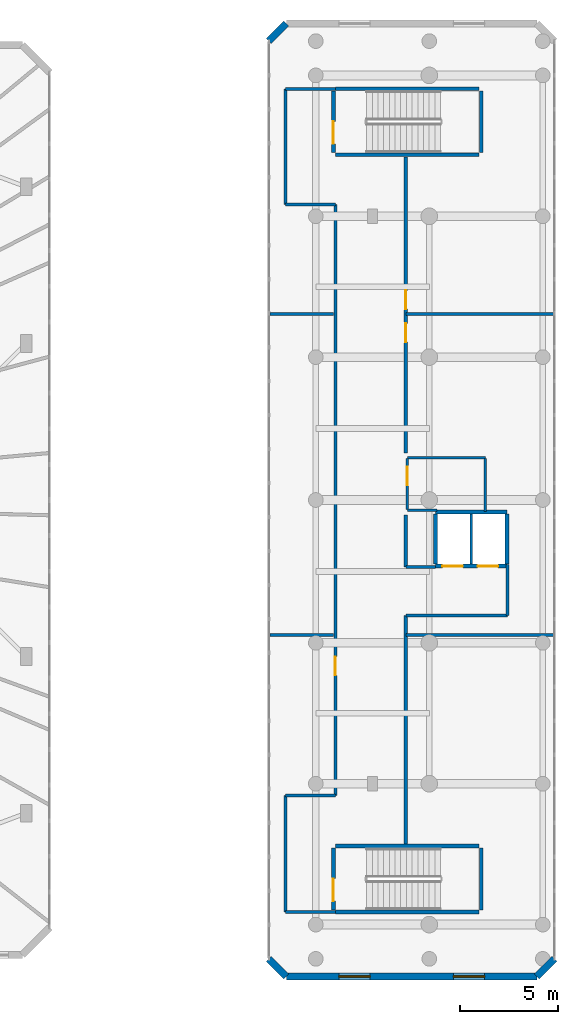
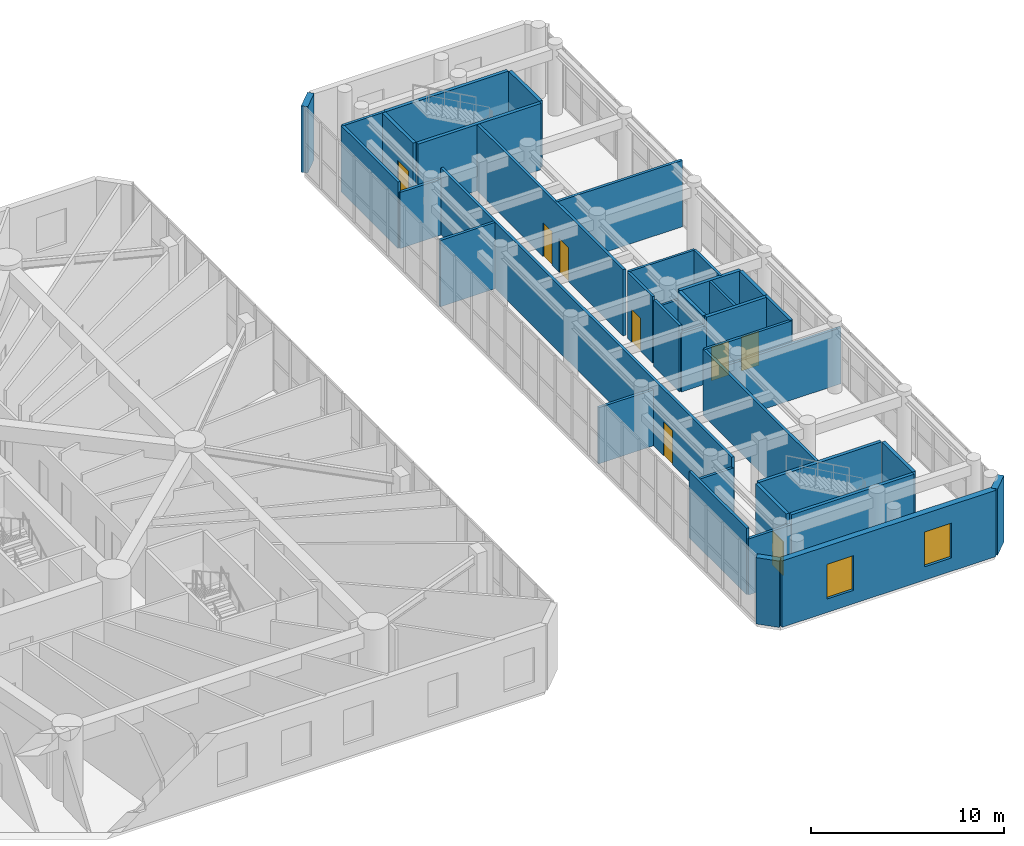
# One storey, part 19 of 26: 38 walls, 8 doors, 2 windows, 10 openings.
"""IFC4 building model written with IfcOpenShell, lengths in metres."""

import ifcopenshell
import ifcopenshell.guid

model = None  # the IFC model being written
_history = None  # IfcOwnerHistory: only IFC2X3 demands one
_inside = {}  # id of a spatial element -> (the spatial element, [elements in it])
_under = {}  # id of a project, library or spatial element -> (it, [spatial elements below it])
_declared = {}  # id of a project -> (the project, [libraries it declares])
_typed = {}  # id of a type object -> (the type object, [elements of that type])
_made_of = {}  # id of a material, layer set ... -> (it, [elements and type objects made of it])


def new_model(schema):
    """Start an empty IFC model of exactly this schema.

    Asked for "IFC4X3", IfcOpenShell would pick the latest addendum, in which some entities
    have other attributes; the version numbers below select the first issue.
    IFC2X3 requires an IfcOwnerHistory on every rooted entity: one is made here for all.
    """
    global model, _history
    if schema == "IFC4X3":
        model = ifcopenshell.file(schema_version=(4, 3, 0, 0))
    else:
        model = ifcopenshell.file(schema=schema)
    _inside.clear()
    _under.clear()
    _declared.clear()
    _typed.clear()
    _made_of.clear()
    _history = None
    if model.schema == "IFC2X3":
        org = make("IfcOrganization", Name="unknown")
        user = make(
            "IfcPersonAndOrganization",
            ThePerson=make("IfcPerson", FamilyName="unknown"),
            TheOrganization=org,
        )
        app = make(
            "IfcApplication",
            ApplicationDeveloper=org,
            Version="unknown",
            ApplicationFullName="unknown",
            ApplicationIdentifier="unknown",
        )
        _history = make(
            "IfcOwnerHistory",
            OwningUser=user,
            OwningApplication=app,
            ChangeAction="ADDED",
            CreationDate=0,
        )
    return model


def make(cls, **values):
    """One entity of the class cls with the attributes given. An attribute that is None is left unset."""
    return model.create_entity(
        cls, **{name: value for name, value in values.items() if value is not None}
    )


def rooted(cls, **values):
    """An entity with a GlobalId (a new one), such as an element, a storey or a relation."""
    return make(cls, GlobalId=ifcopenshell.guid.new(), OwnerHistory=_history, **values)


def si_unit(unit_type, name, prefix=None):
    """IfcSIUnit, for example si_unit("LENGTHUNIT", "METRE", prefix="MILLI")."""
    return make("IfcSIUnit", UnitType=unit_type, Prefix=prefix, Name=name)


def assignment(units):
    """IfcUnitAssignment: the units of a project."""
    return None if units is None else make("IfcUnitAssignment", Units=units)


def point(xyz):
    """IfcCartesianPoint."""
    return None if xyz is None else make("IfcCartesianPoint", Coordinates=xyz)


def direction(xyz):
    """IfcDirection."""
    return None if xyz is None else make("IfcDirection", DirectionRatios=xyz)


def frame(location, z_axis=None, x_axis=None):
    """IfcAxis2Placement3D, a coordinate frame: its origin and axes. An axis left out is left unset."""
    return make(
        "IfcAxis2Placement3D",
        Location=point(location),
        Axis=direction(z_axis),
        RefDirection=direction(x_axis),
    )


def frame_2d(location, x_axis=None):
    """IfcAxis2Placement2D, a coordinate frame in the plane: its origin and x axis."""
    return make(
        "IfcAxis2Placement2D", Location=point(location), RefDirection=direction(x_axis)
    )


def origin():
    """The frame at (0, 0, 0) with its axes left unset."""
    return frame((0.0, 0.0, 0.0))


def origin_with_axes():
    """The frame at (0, 0, 0) with the z axis (0, 0, 1) and the x axis (1, 0, 0) written out."""
    return frame((0.0, 0.0, 0.0), z_axis=(0.0, 0.0, 1.0), x_axis=(1.0, 0.0, 0.0))


def place(relative_to, where):
    """IfcLocalPlacement: puts the frame where relative to a parent placement (None: the world)."""
    return make(
        "IfcLocalPlacement", PlacementRelTo=relative_to, RelativePlacement=where
    )


def context(
    kind, dimensions, precision=None, world=None, true_north=None, identifier=None
):
    """IfcGeometricRepresentationContext, for example the 3D "Model" context."""
    return make(
        "IfcGeometricRepresentationContext",
        ContextIdentifier=identifier,
        ContextType=kind,
        CoordinateSpaceDimension=dimensions,
        Precision=precision,
        WorldCoordinateSystem=world,
        TrueNorth=true_north,
    )


def subcontext(parent, identifier, kind, view, scale=None):
    """IfcGeometricRepresentationSubContext, for example "Body" below "Model"."""
    return make(
        "IfcGeometricRepresentationSubContext",
        ContextIdentifier=identifier,
        ContextType=kind,
        ParentContext=parent,
        TargetScale=scale,
        TargetView=view,
    )


def project(units=None, contexts=None):
    """IfcProject with its units and contexts."""
    return rooted(
        "IfcProject",
        Name="project",
        RepresentationContexts=contexts,
        UnitsInContext=assignment(units),
    )


def spatial(cls, under=None, at=None, **own):
    """A site, building, storey or space (cls), placed at a placement, below another one or the project."""
    s = rooted(cls, ObjectPlacement=at, **own)
    if under is not None:
        _under.setdefault(under.id(), (under, []))[1].append(s)
    return s


def profile(cls, at=None, kind="AREA", **sizes):
    """A parametric profile (cls). Its sizes go by their IFC names, for example OverallWidth=200.0."""
    return make(cls, ProfileType=kind, Position=at, **sizes)


def rectangle(**sizes):
    """IfcRectangleProfileDef."""
    return profile("IfcRectangleProfileDef", **sizes)


def extrude(swept, where, along, depth):
    """IfcExtrudedAreaSolid: the profile swept, set in the frame where, extruded along a direction by depth."""
    return make(
        "IfcExtrudedAreaSolid",
        SweptArea=swept,
        Position=where,
        ExtrudedDirection=direction(along),
        Depth=depth,
    )


def shape(context_of_items, identifier, shape_type, items):
    """IfcShapeRepresentation: the items that make up one representation, for example the "Body"."""
    return make(
        "IfcShapeRepresentation",
        ContextOfItems=context_of_items,
        RepresentationIdentifier=identifier,
        RepresentationType=shape_type,
        Items=items,
    )


def source(mapping_origin, context_of_items, identifier, shape_type, items):
    """IfcRepresentationMap: a shape defined once, which mapped items show again and again."""
    return make(
        "IfcRepresentationMap",
        MappingOrigin=mapping_origin,
        MappedRepresentation=shape(context_of_items, identifier, shape_type, items),
    )


def transform(
    local_origin,
    x_axis=None,
    y_axis=None,
    z_axis=None,
    scale=None,
    scale2=None,
    scale3=None,
    uniform=True,
):
    """IfcCartesianTransformationOperator3D, or its non-uniform kind. x_axis, y_axis, z_axis: its Axis1, 2, 3."""
    if uniform:
        return make(
            "IfcCartesianTransformationOperator3D",
            Axis1=direction(x_axis),
            Axis2=direction(y_axis),
            LocalOrigin=point(local_origin),
            Scale=scale,
            Axis3=direction(z_axis),
        )
    return make(
        "IfcCartesianTransformationOperator3DnonUniform",
        Axis1=direction(x_axis),
        Axis2=direction(y_axis),
        LocalOrigin=point(local_origin),
        Scale=scale,
        Axis3=direction(z_axis),
        Scale2=scale2,
        Scale3=scale3,
    )


def mapped(mapping_source, mapping_target):
    """IfcMappedItem: shows the shape of a source again, moved by a transform."""
    return make(
        "IfcMappedItem", MappingSource=mapping_source, MappingTarget=mapping_target
    )


def material(Name=None, Category=None):
    """IfcMaterial."""
    return make("IfcMaterial", Name=Name, Category=Category)


def layer(
    of_material, thickness, ventilated=None, Name=None, Category=None, Priority=None
):
    """IfcMaterialLayer: one layer of a wall or slab, of a material (None: an air gap)."""
    return make(
        "IfcMaterialLayer",
        Material=of_material,
        LayerThickness=thickness,
        IsVentilated=ventilated,
        Name=Name,
        Category=Category,
        Priority=Priority,
    )


def layer_set(layers, Name=None):
    """IfcMaterialLayerSet."""
    return make("IfcMaterialLayerSet", MaterialLayers=layers, LayerSetName=Name)


def made_of(thing, what):
    """Note that an element or type object is made of a material, layer set ...; save() writes the relation."""
    if what is not None:
        _made_of.setdefault(what.id(), (what, []))[1].append(thing)
    return thing


def type_object(cls, material=None, **own):
    """A type object (cls), such as IfcWallType, which elements share."""
    return made_of(rooted(cls, **own), material)


def element(
    cls,
    number,
    at=None,
    inside=None,
    cuts=None,
    type_object=None,
    material=None,
    context=None,
    identifier="Body",
    shape_type=None,
    held_by="IfcProductDefinitionShape",
    body=None,
    shapes=None,
    **own,
):
    """One element of the class cls, such as IfcWall. Its Tag is "e" and its number.

    at: its placement. inside: the storey or other place that contains it. cuts: it is an
    opening in that element (IfcRelVoidsElement). A single representation is given by context,
    identifier, shape_type and body (its items); several are given by shapes. held_by: the class
    of the entity that holds the representations. save() writes the other relations.
    """
    e = rooted(cls, Tag="e%d" % number, ObjectPlacement=at, **own)
    if body is not None:
        shapes = [shape(context, identifier, shape_type, body)]
    if shapes is not None:
        e.Representation = make(held_by, Representations=shapes)
    if inside is not None:
        _inside.setdefault(inside.id(), (inside, []))[1].append(e)
    if cuts is not None:
        rooted(
            "IfcRelVoidsElement", RelatingBuildingElement=cuts, RelatedOpeningElement=e
        )
    if type_object is not None:
        _typed.setdefault(type_object.id(), (type_object, []))[1].append(e)
    return made_of(e, material)


def fill(opening, filler):
    """IfcRelFillsElement: the door or window that sits in an opening."""
    return rooted(
        "IfcRelFillsElement",
        RelatingOpeningElement=opening,
        RelatedBuildingElement=filler,
    )


def aggregate(whole, parts):
    """IfcRelAggregates: a whole, such as a stair, and the parts it consists of."""
    return rooted("IfcRelAggregates", RelatingObject=whole, RelatedObjects=parts)


def save(model, path):
    """Write the relations noted so far, then the file.

    IfcRelAggregates (storeys below a building ...), IfcRelContainedInSpatialStructure (elements
    in a storey), IfcRelDefinesByType, IfcRelAssociatesMaterial and IfcRelDeclares: one each for
    every whole, place, type object, material and project.
    """
    for whole, parts in _under.values():
        aggregate(whole, parts)
    for where, things in _inside.values():
        rooted(
            "IfcRelContainedInSpatialStructure",
            RelatedElements=things,
            RelatingStructure=where,
        )
    for kind, things in _typed.values():
        rooted("IfcRelDefinesByType", RelatedObjects=things, RelatingType=kind)
    for what, things in _made_of.values():
        rooted("IfcRelAssociatesMaterial", RelatedObjects=things, RelatingMaterial=what)
    for by, libraries in _declared.values():
        rooted("IfcRelDeclares", RelatingContext=by, RelatedDefinitions=libraries)
    model.write(path)


model = new_model("IFC4")

# Units and contexts
model_context = context("Model", 3, precision=1e-05, world=origin(), true_north=direction((0.0, 1.0)))
body_context = subcontext(model_context, "Body", "Model", "MODEL_VIEW")
ifc_project = project(units=[si_unit("LENGTHUNIT", "METRE"), si_unit("AREAUNIT", "SQUARE_METRE"), si_unit("VOLUMEUNIT", "CUBIC_METRE"), si_unit("PLANEANGLEUNIT", "RADIAN"), si_unit("MASSUNIT", "GRAM", prefix="KILO")], contexts=[model_context])

# Site, building, storey
site_placement = place(None, origin())
site = spatial("IfcSite", under=ifc_project, at=site_placement, CompositionType="ELEMENT")
building_placement = place(site_placement, origin())
building = spatial("IfcBuilding", under=site, at=building_placement, Name="Karkom Vertical University and Central Library", CompositionType="ELEMENT")
storey_placement = place(building_placement, frame((0.0, 0.0, 9.0)))
storey = spatial("IfcBuildingStorey", under=building, at=storey_placement, Name="L02", CompositionType="ELEMENT", Elevation=9.0)

# Wall, openings, windows
ifc_material_1 = material(Name="Brick masonry 360mm insulated cavity", Category="masonry")
ifc_layer_1 = layer(ifc_material_1, 0.360107421875)
ifc_layer_set_1 = layer_set([ifc_layer_1], Name="Brick masonry 360mm insulated cavity")
wall_type_1 = type_object("IfcWallType", Name="ENV-WL-BRK-360", PredefinedType="SOLIDWALL", material=ifc_layer_set_1)
wall_1_placement = place(storey_placement, frame((68.10009765625, 2.14990234375, 0.0), z_axis=(0.0, 0.0, 1.0), x_axis=(1.0, 0.0, 0.0)))
wall_1 = element("IfcWall", 1, at=wall_1_placement, inside=storey, type_object=wall_type_1, Name="Level 02 LIB Terracotta Brick Facade Wall 01", PredefinedType="SOLIDWALL", context=body_context, shape_type="SweptSolid", body=[
    extrude(rectangle(XDim=12.7998046875, YDim=0.360107421875, at=frame_2d((6.39990234375, 0.0))), origin(), (0.0, 0.0, 1.0), 4.199951171875),
])
opening_1_placement = place(wall_1_placement, frame((2.675048828125, 0.0, 0.85009765625)))
opening_1 = element("IfcOpeningElement", 2, at=opening_1_placement, cuts=wall_1, Name="Opening WN-02", PredefinedType="OPENING", context=body_context, shape_type="SweptSolid", body=[
    extrude(rectangle(XDim=1.60009765625, YDim=2.199951171875, at=frame_2d((0.800048828125, 1.10009765625))), frame((0.0, 0.18994140625, 0.0), z_axis=(0.0, -1.0, 0.0), x_axis=(1.0, 0.0, 0.0)), (0.0, 0.0, 1.0), 0.380126953125),
])
opening_2_placement = place(wall_1_placement, frame((8.52490234375, 0.0, 0.85009765625)))
opening_2 = element("IfcOpeningElement", 3, at=opening_2_placement, cuts=wall_1, Name="Opening WN-02", PredefinedType="OPENING", context=body_context, shape_type="SweptSolid", body=[
    extrude(rectangle(XDim=1.60009765625, YDim=2.199951171875, at=frame_2d((0.800048828125, 1.10009765625))), frame((0.0, 0.18994140625, 0.0), z_axis=(0.0, -1.0, 0.0), x_axis=(1.0, 0.0, 0.0)), (0.0, 0.0, 1.0), 0.380126953125),
])
ifc_material_2 = material(Name="Aluminium thermal-break frame with solar-control IGU", Category="aluminium")
window_type = type_object("IfcWindowType", Name="ENV-WIN-WN-02", PartitioningType="SINGLE_PANEL", PredefinedType="WINDOW", material=ifc_material_2)
shared_shape_1 = source(origin_with_axes(), body_context, "Body", "SweptSolid", [
    extrude(rectangle(XDim=1.60009765625, YDim=2.199951171875, at=frame_2d((0.800048828125, 1.10009765625))), frame((0.0, 0.030029296875, 0.0), z_axis=(0.0, -1.0, 0.0), x_axis=(1.0, 0.0, 0.0)), (0.0, 0.0, 1.0), 0.06005859375),
])
window_1_placement = place(opening_1_placement, origin())
window_1 = element("IfcWindow", 4, at=window_1_placement, inside=storey, type_object=window_type, Name="Level 02 LIB Punched Window 01", OverallHeight=2.199951171875, OverallWidth=1.60009765625, PartitioningType="SINGLE_PANEL", PredefinedType="WINDOW", context=body_context, shape_type="MappedRepresentation", body=[
    mapped(shared_shape_1, transform((0.0, 0.0, 0.0), scale=1.0)),
])
fill(opening_1, window_1)
window_2_placement = place(opening_2_placement, origin())
window_2 = element("IfcWindow", 5, at=window_2_placement, inside=storey, type_object=window_type, Name="Level 02 LIB Punched Window 02", OverallHeight=2.199951171875, OverallWidth=1.60009765625, PartitioningType="SINGLE_PANEL", PredefinedType="WINDOW", context=body_context, shape_type="MappedRepresentation", body=[
    mapped(shared_shape_1, transform((0.0, 0.0, 0.0), scale=1.0)),
])
fill(opening_2, window_2)

# Walls
for number, where, z_axis, x_axis, name in (
    (6, (80.89990234375, 2.14990234375, 0.0), (0.0, 0.0, 1.0), (0.707106781187, 0.707106781187, 0.0), "Level 02 LIB Terracotta Brick Facade Wall 02"),
    (7, (68.10009765625, 50.85009765625, 0.0), (0.0, 0.0, 1.0), (-0.707106781187, -0.707106781187, 0.0), "Level 02 LIB Terracotta Brick Facade Wall 06"),
    (8, (67.199951171875, 3.050048828125, 0.0), (0.0, 0.0, 1.0), (0.707106781187, -0.707106781187, 0.0), "Level 02 LIB Terracotta Brick Facade Wall 08"),
):
    element("IfcWall", number, at=place(storey_placement, frame(where, z_axis=z_axis, x_axis=x_axis)), inside=storey, type_object=wall_type_1, Name=name, PredefinedType="SOLIDWALL", context=body_context, shape_type="SweptSolid", body=[
        extrude(rectangle(XDim=1.27294921875, YDim=0.360107421875, at=frame_2d((0.636474609375, 0.0))), origin(), (0.0, 0.0, 1.0), 4.199951171875),
    ])

# Wall, opening, door
ifc_material_3 = material(Name="Insulated metal-stud drywall 160mm", Category="gypsum")
ifc_layer_2 = layer(ifc_material_3, 0.159912109375)
ifc_layer_set_2 = layer_set([ifc_layer_2], Name="Insulated metal-stud drywall 160mm")
wall_type_2 = type_object("IfcWallType", Name="INT-WL-COR-160", PredefinedType="PARTITIONING", material=ifc_layer_set_2)
wall_2_placement = place(storey_placement, frame((70.60009765625, 11.39990234375, 0.0), z_axis=(0.0, 0.0, 1.0), x_axis=(0.0, 1.0, 0.0)))
wall_2 = element("IfcWall", 9, at=wall_2_placement, inside=storey, type_object=wall_type_2, Name="Level 02 Interior Partition Wall Level 02-LBCW-CW-001", PredefinedType="PARTITIONING", context=body_context, shape_type="SweptSolid", body=[
    extrude(rectangle(XDim=30.2001953125, YDim=0.159912109375, at=frame_2d((15.10009765625, 0.0))), origin(), (0.0, 0.0, 1.0), 4.199951171875),
])
opening_3_placement = place(wall_2_placement, frame((6.135009765625, 0.0, 0.0)))
opening_3 = element("IfcOpeningElement", 10, at=opening_3_placement, cuts=wall_2, Name="Opening FD-RM2", PredefinedType="OPENING", context=body_context, shape_type="SweptSolid", body=[
    extrude(rectangle(XDim=0.9599609375, YDim=2.14990234375, at=frame_2d((0.47998046875, 1.074951171875))), frame((0.0, 0.08984375, 0.0), z_axis=(0.0, -1.0, 0.0), x_axis=(1.0, 0.0, 0.0)), (0.0, 0.0, 1.0), 0.179931640625),
])
ifc_material_4 = material(Name="Fire-rated oak veneer door", Category="wood")
door_type_1 = type_object("IfcDoorType", Name="INT-DR-FRM2", OperationType="NOTDEFINED", PredefinedType="DOOR", material=ifc_material_4)
shared_shape_2 = source(origin_with_axes(), body_context, "Body", "SweptSolid", [
    extrude(rectangle(XDim=0.9599609375, YDim=2.14990234375, at=frame_2d((0.47998046875, 1.074951171875))), frame((0.0, 0.02490234375, 0.0), z_axis=(0.0, -1.0, 0.0), x_axis=(1.0, 0.0, 0.0)), (0.0, 0.0, 1.0), 0.050048828125),
])
door_1_placement = place(opening_3_placement, origin())
door_1 = element("IfcDoor", 11, at=door_1_placement, inside=storey, type_object=door_type_1, Name="Level 02 Room Entry Door 901", OperationType="SINGLE_SWING_RIGHT", OverallHeight=2.14990234375, OverallWidth=0.9599609375, PredefinedType="DOOR", context=body_context, shape_type="MappedRepresentation", body=[
    mapped(shared_shape_2, transform((0.0, 0.0, 0.0), scale=1.0)),
])
fill(opening_3, door_1)

# Wall, openings, doors
wall_3_placement = place(storey_placement, frame((74.199951171875, 44.0380859375, 0.0), z_axis=(0.0, 0.0, 1.0), x_axis=(0.0, -1.0, 0.0)))
wall_3 = element("IfcWall", 12, at=wall_3_placement, inside=storey, type_object=wall_type_2, Name="Level 02 Interior Partition Wall Level 02-LBCW-CW-005", PredefinedType="PARTITIONING", context=body_context, shape_type="SweptSolid", body=[
    extrude(rectangle(XDim=15.13818359375, YDim=0.159912109375, at=frame_2d((7.569091796875, 0.0))), origin(), (0.0, 0.0, 1.0), 4.199951171875),
])
opening_4_placement = place(wall_3_placement, frame((8.515380859375, 0.0, 0.0)))
opening_4 = element("IfcOpeningElement", 13, at=opening_4_placement, cuts=wall_3, Name="Opening FD-RM2", PredefinedType="OPENING", context=body_context, shape_type="SweptSolid", body=[
    extrude(rectangle(XDim=0.9599609375, YDim=2.14990234375, at=frame_2d((0.47998046875, 1.074951171875))), frame((0.0, 0.08984375, 0.0), z_axis=(0.0, -1.0, 0.0), x_axis=(1.0, 0.0, 0.0)), (0.0, 0.0, 1.0), 0.179931640625),
])
opening_5_placement = place(wall_3_placement, frame((6.820068359375, 0.0, 0.0)))
opening_5 = element("IfcOpeningElement", 14, at=opening_5_placement, cuts=wall_3, Name="Opening FD-RM2", PredefinedType="OPENING", context=body_context, shape_type="SweptSolid", body=[
    extrude(rectangle(XDim=0.9599609375, YDim=2.14990234375, at=frame_2d((0.47998046875, 1.074951171875))), frame((0.0, 0.08984375, 0.0), z_axis=(0.0, -1.0, 0.0), x_axis=(1.0, 0.0, 0.0)), (0.0, 0.0, 1.0), 0.179931640625),
])
door_2_placement = place(opening_4_placement, origin())
door_2 = element("IfcDoor", 15, at=door_2_placement, inside=storey, type_object=door_type_1, Name="Level 02 Room Entry Door 902", OperationType="SINGLE_SWING_LEFT", OverallHeight=2.14990234375, OverallWidth=0.9599609375, PredefinedType="DOOR", context=body_context, shape_type="MappedRepresentation", body=[
    mapped(shared_shape_2, transform((0.0, 0.0, 0.0), scale=1.0)),
])
fill(opening_4, door_2)
door_3_placement = place(opening_5_placement, origin())
door_3 = element("IfcDoor", 16, at=door_3_placement, inside=storey, type_object=door_type_1, Name="Level 02 Room Entry Door 903", OperationType="SINGLE_SWING_RIGHT", OverallHeight=2.14990234375, OverallWidth=0.9599609375, PredefinedType="DOOR", context=body_context, shape_type="MappedRepresentation", body=[
    mapped(shared_shape_2, transform((0.0, 0.0, 0.0), scale=1.0)),
])
fill(opening_5, door_3)

# Walls
wall_4_placement = place(storey_placement, frame((74.199951171875, 20.60009765625, 0.0), z_axis=(0.0, 0.0, 1.0), x_axis=(0.0, -1.0, 0.0)))
element("IfcWall", 17, at=wall_4_placement, inside=storey, type_object=wall_type_2, Name="Level 02 Interior Partition Wall Level 02-LBCW-CW-010", PredefinedType="PARTITIONING", context=body_context, shape_type="SweptSolid", body=[
    extrude(rectangle(XDim=11.677978515625, YDim=0.159912109375, at=frame_2d((5.8388671875, 0.0))), origin(), (0.0, 0.0, 1.0), 4.199951171875),
])
wall_5_placement = place(storey_placement, frame((74.199951171875, 19.60009765625, 0.0), z_axis=(0.0, 0.0, 1.0), x_axis=(1.0, 0.0, 0.0)))
element("IfcWall", 18, at=wall_5_placement, inside=storey, type_object=wall_type_2, Name="Level 02 Interior Partition Wall Level 02-LW-DIV1E", PredefinedType="PARTITIONING", context=body_context, shape_type="SweptSolid", body=[
    extrude(rectangle(XDim=7.545166015625, YDim=0.159912109375, at=frame_2d((3.7724609375, 0.0))), origin(), (0.0, 0.0, 1.0), 3.550048828125),
])
wall_6_placement = place(storey_placement, frame((74.199951171875, 36.0, 0.0), z_axis=(0.0, 0.0, 1.0), x_axis=(1.0, 0.0, 0.0)))
element("IfcWall", 19, at=wall_6_placement, inside=storey, type_object=wall_type_2, Name="Level 02 Interior Partition Wall Level 02-LW-DIV2E", PredefinedType="PARTITIONING", context=body_context, shape_type="SweptSolid", body=[
    extrude(rectangle(XDim=7.545166015625, YDim=0.159912109375, at=frame_2d((3.7724609375, 0.0))), origin(), (0.0, 0.0, 1.0), 4.199951171875),
])
wall_7_placement = place(storey_placement, frame((68.050048828125, 5.449951171875, 0.0), z_axis=(0.0, 0.0, 1.0), x_axis=(0.0, 1.0, 0.0)))
element("IfcWall", 20, at=wall_7_placement, inside=storey, type_object=wall_type_2, Name="Level 02 Interior Partition Wall Level 02-LBCW-CW-012", PredefinedType="PARTITIONING", context=body_context, shape_type="SweptSolid", body=[
    extrude(rectangle(XDim=5.949951171875, YDim=0.159912109375, at=frame_2d((2.97509765625, 0.0))), origin(), (0.0, 0.0, 1.0), 4.199951171875),
])
wall_8_placement = place(storey_placement, frame((68.050048828125, 41.60009765625, 0.0), z_axis=(0.0, 0.0, 1.0), x_axis=(0.0, 1.0, 0.0)))
element("IfcWall", 21, at=wall_8_placement, inside=storey, type_object=wall_type_2, Name="Level 02 Interior Partition Wall Level 02-LBCW-CW-003", PredefinedType="PARTITIONING", context=body_context, shape_type="SweptSolid", body=[
    extrude(rectangle(XDim=5.89990234375, YDim=0.159912109375, at=frame_2d((2.949951171875, 0.0))), origin(), (0.0, 0.0, 1.0), 4.199951171875),
])
wall_9_placement = place(storey_placement, frame((79.39990234375, 20.60009765625, 0.0), z_axis=(0.0, 0.0, 1.0), x_axis=(-1.0, 0.0, 0.0)))
element("IfcWall", 22, at=wall_9_placement, inside=storey, type_object=wall_type_2, Name="Level 02 Interior Partition Wall Level 02-LBCW-CW-009", PredefinedType="PARTITIONING", context=body_context, shape_type="SweptSolid", body=[
    extrude(rectangle(XDim=5.199951171875, YDim=0.159912109375, at=frame_2d((2.60009765625, 0.0))), origin(), (0.0, 0.0, 1.0), 4.199951171875),
])
wall_10_placement = place(storey_placement, frame((67.2548828125, 19.60009765625, 0.0), z_axis=(0.0, 0.0, 1.0), x_axis=(1.0, 0.0, 0.0)))
element("IfcWall", 23, at=wall_10_placement, inside=storey, type_object=wall_type_2, Name="Level 02 Interior Partition Wall Level 02-LW-DIV1", PredefinedType="PARTITIONING", context=body_context, shape_type="SweptSolid", body=[
    extrude(rectangle(XDim=3.260498046875, YDim=0.159912109375, at=frame_2d((1.63037109375, 0.0))), origin(), (0.0, 0.0, 1.0), 3.550048828125),
])
wall_11_placement = place(storey_placement, frame((67.2548828125, 36.0, 0.0), z_axis=(0.0, 0.0, 1.0), x_axis=(1.0, 0.0, 0.0)))
element("IfcWall", 24, at=wall_11_placement, inside=storey, type_object=wall_type_2, Name="Level 02 Interior Partition Wall Level 02-LW-DIV2", PredefinedType="PARTITIONING", context=body_context, shape_type="SweptSolid", body=[
    extrude(rectangle(XDim=3.260498046875, YDim=0.159912109375, at=frame_2d((1.63037109375, 0.0))), origin(), (0.0, 0.0, 1.0), 4.199951171875),
])
wall_12_placement = place(storey_placement, frame((74.199951171875, 25.739990234375, 0.0), z_axis=(0.0, 0.0, 1.0), x_axis=(0.0, -1.0, 0.0)))
element("IfcWall", 25, at=wall_12_placement, inside=storey, type_object=wall_type_2, Name="Level 02 Interior Partition Wall Level 02-LBCW-CW-006", PredefinedType="PARTITIONING", context=body_context, shape_type="SweptSolid", body=[
    extrude(rectangle(XDim=2.659912109375, YDim=0.159912109375, at=frame_2d((1.330078125, 0.0))), origin(), (0.0, 0.0, 1.0), 4.199951171875),
])
for number, where, z_axis, x_axis, name in (
    (26, (70.60009765625, 41.60009765625, 0.0), (0.0, 0.0, 1.0), (-1.0, 0.0, 0.0), "Level 02 Interior Partition Wall Level 02-LBCW-CW-002"),
    (27, (68.050048828125, 11.39990234375, 0.0), (0.0, 0.0, 1.0), (1.0, 0.0, 0.0), "Level 02 Interior Partition Wall Level 02-LBCW-CW-013"),
):
    element("IfcWall", number, at=place(storey_placement, frame(where, z_axis=z_axis, x_axis=x_axis)), inside=storey, type_object=wall_type_2, Name=name, PredefinedType="PARTITIONING", context=body_context, shape_type="SweptSolid", body=[
        extrude(rectangle(XDim=2.550048828125, YDim=0.159912109375, at=frame_2d((1.27490234375, 0.0))), origin(), (0.0, 0.0, 1.0), 3.550048828125),
    ])
wall_13_placement = place(storey_placement, frame((79.39990234375, 23.215087890625, 0.0), z_axis=(0.0, 0.0, 1.0), x_axis=(0.0, -1.0, 0.0)))
element("IfcWall", 28, at=wall_13_placement, inside=storey, type_object=wall_type_2, Name="Level 02 Interior Partition Wall Level 02-LBCW-CW-008", PredefinedType="PARTITIONING", context=body_context, shape_type="SweptSolid", body=[
    extrude(rectangle(XDim=2.614990234375, YDim=0.159912109375, at=frame_2d((1.3076171875, 0.0))), origin(), (0.0, 0.0, 1.0), 4.199951171875),
])
wall_14_placement = place(storey_placement, frame((68.050048828125, 47.5, 0.0), z_axis=(0.0, 0.0, 1.0), x_axis=(1.0, 0.0, 0.0)))
element("IfcWall", 29, at=wall_14_placement, inside=storey, type_object=wall_type_2, Name="Level 02 Interior Partition Wall Level 02-LBCW-CW-004", PredefinedType="PARTITIONING", context=body_context, shape_type="SweptSolid", body=[
    extrude(rectangle(XDim=2.544921875, YDim=0.159912109375, at=frame_2d((1.2724609375, 0.0))), origin(), (0.0, 0.0, 1.0), 4.199951171875),
])
wall_15_placement = place(storey_placement, frame((70.594970703125, 5.449951171875, 0.0), z_axis=(0.0, 0.0, 1.0), x_axis=(-1.0, 0.0, 0.0)))
element("IfcWall", 30, at=wall_15_placement, inside=storey, type_object=wall_type_2, Name="Level 02 Interior Partition Wall Level 02-LBCW-CW-011", PredefinedType="PARTITIONING", context=body_context, shape_type="SweptSolid", body=[
    extrude(rectangle(XDim=2.544921875, YDim=0.159912109375, at=frame_2d((1.2724609375, 0.0))), origin(), (0.0, 0.0, 1.0), 3.550048828125),
])
wall_16_placement = place(storey_placement, frame((74.199951171875, 23.080078125, 0.0), z_axis=(0.0, 0.0, 1.0), x_axis=(1.0, 0.0, 0.0)))
element("IfcWall", 31, at=wall_16_placement, inside=storey, type_object=wall_type_2, Name="Level 02 Interior Partition Wall Level 02-LBCW-CW-007", PredefinedType="PARTITIONING", context=body_context, shape_type="SweptSolid", body=[
    extrude(rectangle(XDim=1.51513671875, YDim=0.159912109375, at=frame_2d((0.757568359375, 0.0))), origin(), (0.0, 0.0, 1.0), 3.699951171875),
])
ifc_material_5 = material(Name="Metal-stud gypsum partition 140mm", Category="gypsum")
ifc_layer_3 = layer(ifc_material_5, 0.139892578125)
ifc_layer_set_3 = layer_set([ifc_layer_3], Name="Metal-stud gypsum partition 140mm")
wall_type_3 = type_object("IfcWallType", Name="INT-WL-SUB-140", PredefinedType="PARTITIONING", material=ifc_layer_set_3)
wall_17_placement = place(storey_placement, frame((74.280029296875, 28.659912109375, 0.0), z_axis=(0.0, 0.0, 1.0), x_axis=(1.0, 0.0, 0.0)))
element("IfcWall", 32, at=wall_17_placement, inside=storey, type_object=wall_type_3, Name="Level 02 Interior Partition Wall Level 02-LW-AWC-N", PredefinedType="PARTITIONING", context=body_context, shape_type="SweptSolid", body=[
    extrude(rectangle(XDim=3.97998046875, YDim=0.139892578125, at=frame_2d((1.989990234375, 0.0))), origin(), (0.0, 0.0, 1.0), 4.199951171875),
])
wall_18_placement = place(storey_placement, frame((78.260009765625, 25.919921875, 0.0), z_axis=(0.0, 0.0, 1.0), x_axis=(0.0, 1.0, 0.0)))
element("IfcWall", 33, at=wall_18_placement, inside=storey, type_object=wall_type_3, Name="Level 02 Interior Partition Wall Level 02-LW-AWC-E", PredefinedType="PARTITIONING", context=body_context, shape_type="SweptSolid", body=[
    extrude(rectangle(XDim=2.7001953125, YDim=0.139892578125, at=frame_2d((1.35009765625, 0.0))), origin(), (0.0, 0.0, 1.0), 4.199951171875),
])

# Wall, opening, door
wall_19_placement = place(storey_placement, frame((74.280029296875, 26.02001953125, 0.0), z_axis=(0.0, 0.0, 1.0), x_axis=(0.0, 1.0, 0.0)))
wall_19 = element("IfcWall", 34, at=wall_19_placement, inside=storey, type_object=wall_type_3, Name="Level 02 Interior Partition Wall Level 02-LW-AWC-W", PredefinedType="PARTITIONING", context=body_context, shape_type="SweptSolid", body=[
    extrude(rectangle(XDim=2.60009765625, YDim=0.139892578125, at=frame_2d((1.300048828125, 0.0))), origin(), (0.0, 0.0, 1.0), 4.199951171875),
])
opening_6_placement = place(wall_19_placement, frame((1.239990234375, 0.0, 0.0)))
opening_6 = element("IfcOpeningElement", 35, at=opening_6_placement, cuts=wall_19, Name="Opening D-WC1", PredefinedType="OPENING", context=body_context, shape_type="SweptSolid", body=[
    extrude(rectangle(XDim=0.93994140625, YDim=2.10009765625, at=frame_2d((0.469970703125, 1.050048828125))), frame((0.0, 0.080078125, 0.0), z_axis=(0.0, -1.0, 0.0), x_axis=(1.0, 0.0, 0.0)), (0.0, 0.0, 1.0), 0.159912109375),
])
ifc_material_6 = material(Name="Fire-rated laminate moisture-resistant door", Category="wood")
door_type_2 = type_object("IfcDoorType", Name="INT-DR-WC1", OperationType="NOTDEFINED", PredefinedType="DOOR", material=ifc_material_6)
shared_shape_3 = source(origin_with_axes(), body_context, "Body", "SweptSolid", [
    extrude(rectangle(XDim=0.93994140625, YDim=2.10009765625, at=frame_2d((0.469970703125, 1.050048828125))), frame((0.0, 0.02490234375, 0.0), z_axis=(0.0, -1.0, 0.0), x_axis=(1.0, 0.0, 0.0)), (0.0, 0.0, 1.0), 0.050048828125),
])
door_4_placement = place(opening_6_placement, origin())
door_4 = element("IfcDoor", 36, at=door_4_placement, inside=storey, type_object=door_type_2, Name="Level 02 Library Accessible WC Door", OperationType="SINGLE_SWING_LEFT", OverallHeight=2.10009765625, OverallWidth=0.93994140625, PredefinedType="DOOR", context=body_context, shape_type="MappedRepresentation", body=[
    mapped(shared_shape_3, transform((0.0, 0.0, 0.0), scale=1.0)),
])
fill(opening_6, door_4)

# Walls
wall_20_placement = place(storey_placement, frame((74.280029296875, 25.97998046875, 0.0), z_axis=(0.0, 0.0, 1.0), x_axis=(1.0, 0.0, 0.0)))
element("IfcWall", 37, at=wall_20_placement, inside=storey, type_object=wall_type_3, Name="Level 02 Interior Partition Wall Level 02-LW-AWC-S", PredefinedType="PARTITIONING", context=body_context, shape_type="SweptSolid", body=[
    extrude(rectangle(XDim=1.52001953125, YDim=0.139892578125, at=frame_2d((0.760009765625, 0.0))), origin(), (0.0, 0.0, 1.0), 3.550048828125),
])
ifc_layer_4 = layer(ifc_material_5, 0.139892578125)
ifc_layer_set_4 = layer_set([ifc_layer_4], Name="Metal-stud gypsum partition 140mm")
wall_type_4 = type_object("IfcWallType", Name="INT-WL-SUB-140H", PredefinedType="PARTITIONING", material=ifc_layer_set_4)
wall_21_placement = place(storey_placement, frame((77.550048828125, 23.219970703125, 0.0), z_axis=(0.0, 0.0, 1.0), x_axis=(0.0, 1.0, 0.0)))
element("IfcWall", 38, at=wall_21_placement, inside=storey, type_object=wall_type_4, Name="Level 02 Interior Partition Wall Level 02-W-LL-M", PredefinedType="PARTITIONING", context=body_context, shape_type="SweptSolid", body=[
    extrude(rectangle(XDim=2.56005859375, YDim=0.139892578125, at=frame_2d((1.280029296875, 0.0))), origin(), (0.0, 0.0, 1.0), 4.199951171875),
])
ifc_material_7 = material(Name="Concrete C45/55", Category="concrete")
ifc_layer_5 = layer(ifc_material_7, 0.199951171875)
ifc_layer_set_5 = layer_set([ifc_layer_5], Name="Concrete C45/55")
wall_type_5 = type_object("IfcWallType", Name="STR-WL-ST-200", PredefinedType="SHEAR", material=ifc_layer_set_5)
for number, where, z_axis, x_axis, name in (
    (39, (70.60009765625, 5.445068359375, 0.0), (0.0, 0.0, 1.0), (1.0, 0.0, 0.0), "Level 02 Core Shaft Wall Level 02-W-LST1-S"),
    (40, (70.60009765625, 8.81494140625, 0.0), (0.0, 0.0, 1.0), (1.0, 0.0, 0.0), "Level 02 Core Shaft Wall Level 02-W-LST1-N"),
    (41, (70.60009765625, 44.14501953125, 0.0), (0.0, 0.0, 1.0), (1.0, 0.0, 0.0), "Level 02 Core Shaft Wall Level 02-W-LST2-S"),
    (42, (70.60009765625, 47.514892578125, 0.0), (0.0, 0.0, 1.0), (1.0, 0.0, 0.0), "Level 02 Core Shaft Wall Level 02-W-LST2-N"),
):
    element("IfcWall", number, at=place(storey_placement, frame(where, z_axis=z_axis, x_axis=x_axis)), inside=storey, type_object=wall_type_5, Name=name, PredefinedType="SHEAR", context=body_context, shape_type="SweptSolid", body=[
        extrude(rectangle(XDim=7.349853515625, YDim=0.199951171875, at=frame_2d((3.6748046875, 0.0))), origin(), (0.0, 0.0, 1.0), 4.199951171875),
    ])

# Wall, openings, doors
wall_22_placement = place(storey_placement, frame((75.719970703125, 23.1201171875, 0.0), z_axis=(0.0, 0.0, 1.0), x_axis=(1.0, 0.0, 0.0)))
wall_22 = element("IfcWall", 43, at=wall_22_placement, inside=storey, type_object=wall_type_5, Name="Level 02 Core Shaft Wall Level 02-W-LL-S", PredefinedType="SHEAR", context=body_context, shape_type="SweptSolid", body=[
    extrude(rectangle(XDim=3.659912109375, YDim=0.199951171875, at=frame_2d((1.830078125, 0.0))), origin(), (0.0, 0.0, 1.0), 4.199951171875),
])
opening_7_placement = place(wall_22_placement, frame((0.35009765625, 0.0, 0.0)))
opening_7 = element("IfcOpeningElement", 44, at=opening_7_placement, cuts=wall_22, Name="Opening LD-LIB", PredefinedType="OPENING", context=body_context, shape_type="SweptSolid", body=[
    extrude(rectangle(XDim=1.050048828125, YDim=2.14990234375, at=frame_2d((0.52490234375, 1.074951171875))), frame((0.0, 0.10986328125, 0.0), z_axis=(0.0, -1.0, 0.0), x_axis=(1.0, 0.0, 0.0)), (0.0, 0.0, 1.0), 0.219970703125),
])
opening_8_placement = place(wall_22_placement, frame((2.14990234375, 0.0, 0.0)))
opening_8 = element("IfcOpeningElement", 45, at=opening_8_placement, cuts=wall_22, Name="Opening LD-LIB", PredefinedType="OPENING", context=body_context, shape_type="SweptSolid", body=[
    extrude(rectangle(XDim=1.050048828125, YDim=2.14990234375, at=frame_2d((0.52490234375, 1.074951171875))), frame((0.0, 0.10986328125, 0.0), z_axis=(0.0, -1.0, 0.0), x_axis=(1.0, 0.0, 0.0)), (0.0, 0.0, 1.0), 0.219970703125),
])
ifc_material_8 = material(Name="Bronze-anodised lift landing door", Category="metal")
door_type_3 = type_object("IfcDoorType", Name="INT-DR-LD-LIB", OperationType="SLIDING_TO_LEFT", PredefinedType="DOOR", material=ifc_material_8)
shared_shape_4 = source(origin_with_axes(), body_context, "Body", "SweptSolid", [
    extrude(rectangle(XDim=1.050048828125, YDim=2.14990234375, at=frame_2d((0.52490234375, 1.074951171875))), frame((0.0, 0.02490234375, 0.0), z_axis=(0.0, -1.0, 0.0), x_axis=(1.0, 0.0, 0.0)), (0.0, 0.0, 1.0), 0.050048828125),
])
door_5_placement = place(opening_7_placement, origin())
door_5 = element("IfcDoor", 46, at=door_5_placement, inside=storey, type_object=door_type_3, Name="Level 02 Library Lift LIB-L1 Landing Door", OperationType="SLIDING_TO_LEFT", OverallHeight=2.14990234375, OverallWidth=1.050048828125, PredefinedType="DOOR", context=body_context, shape_type="MappedRepresentation", body=[
    mapped(shared_shape_4, transform((0.0, 0.0, 0.0), scale=1.0)),
])
fill(opening_7, door_5)
door_6_placement = place(opening_8_placement, origin())
door_6 = element("IfcDoor", 47, at=door_6_placement, inside=storey, type_object=door_type_3, Name="Level 02 Library Lift LIB-L2 Landing Door", OperationType="SLIDING_TO_RIGHT", OverallHeight=2.14990234375, OverallWidth=1.050048828125, PredefinedType="DOOR", context=body_context, shape_type="MappedRepresentation", body=[
    mapped(shared_shape_4, transform((0.0, 0.0, 0.0), scale=1.0)),
])
fill(opening_8, door_6)

# Wall
wall_23_placement = place(storey_placement, frame((75.719970703125, 25.8798828125, 0.0), z_axis=(0.0, 0.0, 1.0), x_axis=(1.0, 0.0, 0.0)))
element("IfcWall", 48, at=wall_23_placement, inside=storey, type_object=wall_type_5, Name="Level 02 Core Shaft Wall Level 02-W-LL-N", PredefinedType="SHEAR", context=body_context, shape_type="SweptSolid", body=[
    extrude(rectangle(XDim=3.659912109375, YDim=0.199951171875, at=frame_2d((1.830078125, 0.0))), origin(), (0.0, 0.0, 1.0), 4.199951171875),
])

# Wall, opening, door
wall_24_placement = place(storey_placement, frame((70.4951171875, 5.550048828125, 0.0), z_axis=(0.0, 0.0, 1.0), x_axis=(0.0, 1.0, 0.0)))
wall_24 = element("IfcWall", 49, at=wall_24_placement, inside=storey, type_object=wall_type_5, Name="Level 02 Core Shaft Wall Level 02-W-LST1-W", PredefinedType="SHEAR", context=body_context, shape_type="SweptSolid", body=[
    extrude(rectangle(XDim=3.159912109375, YDim=0.199951171875, at=frame_2d((1.580078125, 0.0))), origin(), (0.0, 0.0, 1.0), 4.199951171875),
])
opening_9_placement = place(wall_24_placement, frame((0.449951171875, 0.0, 0.0)))
opening_9 = element("IfcOpeningElement", 50, at=opening_9_placement, cuts=wall_24, Name="Opening FD-ST1", PredefinedType="OPENING", context=body_context, shape_type="SweptSolid", body=[
    extrude(rectangle(XDim=1.14990234375, YDim=2.14990234375, at=frame_2d((0.574951171875, 1.074951171875))), frame((0.0, 0.10986328125, 0.0), z_axis=(0.0, -1.0, 0.0), x_axis=(1.0, 0.0, 0.0)), (0.0, 0.0, 1.0), 0.219970703125),
])
ifc_material_9 = material(Name="Painted steel acoustic fire door", Category="steel")
door_type_4 = type_object("IfcDoorType", Name="INT-DR-ST1", OperationType="NOTDEFINED", PredefinedType="DOOR", material=ifc_material_9)
shared_shape_5 = source(origin_with_axes(), body_context, "Body", "SweptSolid", [
    extrude(rectangle(XDim=1.14990234375, YDim=2.14990234375, at=frame_2d((0.574951171875, 1.074951171875))), frame((0.0, 0.02490234375, 0.0), z_axis=(0.0, -1.0, 0.0), x_axis=(1.0, 0.0, 0.0)), (0.0, 0.0, 1.0), 0.050048828125),
])
door_7_placement = place(opening_9_placement, origin())
door_7 = element("IfcDoor", 51, at=door_7_placement, inside=storey, type_object=door_type_4, Name="Level 02 Library Stair LST1 Door", OperationType="SINGLE_SWING_LEFT", OverallHeight=2.14990234375, OverallWidth=1.14990234375, PredefinedType="DOOR", context=body_context, shape_type="MappedRepresentation", body=[
    mapped(shared_shape_5, transform((0.0, 0.0, 0.0), scale=1.0)),
])
fill(opening_9, door_7)

# Wall
wall_25_placement = place(storey_placement, frame((78.054931640625, 5.550048828125, 0.0), z_axis=(0.0, 0.0, 1.0), x_axis=(0.0, 1.0, 0.0)))
element("IfcWall", 52, at=wall_25_placement, inside=storey, type_object=wall_type_5, Name="Level 02 Core Shaft Wall Level 02-W-LST1-E", PredefinedType="SHEAR", context=body_context, shape_type="SweptSolid", body=[
    extrude(rectangle(XDim=3.159912109375, YDim=0.199951171875, at=frame_2d((1.580078125, 0.0))), origin(), (0.0, 0.0, 1.0), 4.199951171875),
])

# Wall, opening, door
wall_26_placement = place(storey_placement, frame((70.4951171875, 44.25, 0.0), z_axis=(0.0, 0.0, 1.0), x_axis=(0.0, 1.0, 0.0)))
wall_26 = element("IfcWall", 53, at=wall_26_placement, inside=storey, type_object=wall_type_5, Name="Level 02 Core Shaft Wall Level 02-W-LST2-W", PredefinedType="SHEAR", context=body_context, shape_type="SweptSolid", body=[
    extrude(rectangle(XDim=3.159912109375, YDim=0.199951171875, at=frame_2d((1.580078125, 0.0))), origin(), (0.0, 0.0, 1.0), 4.199951171875),
])
opening_10_placement = place(wall_26_placement, frame((0.449951171875, 0.0, 0.0)))
opening_10 = element("IfcOpeningElement", 54, at=opening_10_placement, cuts=wall_26, Name="Opening FD-ST1", PredefinedType="OPENING", context=body_context, shape_type="SweptSolid", body=[
    extrude(rectangle(XDim=1.14990234375, YDim=2.14990234375, at=frame_2d((0.574951171875, 1.074951171875))), frame((0.0, 0.10986328125, 0.0), z_axis=(0.0, -1.0, 0.0), x_axis=(1.0, 0.0, 0.0)), (0.0, 0.0, 1.0), 0.219970703125),
])
door_8_placement = place(opening_10_placement, origin())
door_8 = element("IfcDoor", 55, at=door_8_placement, inside=storey, type_object=door_type_4, Name="Level 02 Library Stair LST2 Door", OperationType="SINGLE_SWING_RIGHT", OverallHeight=2.14990234375, OverallWidth=1.14990234375, PredefinedType="DOOR", context=body_context, shape_type="MappedRepresentation", body=[
    mapped(shared_shape_5, transform((0.0, 0.0, 0.0), scale=1.0)),
])
fill(opening_10, door_8)

# Walls
wall_27_placement = place(storey_placement, frame((78.054931640625, 44.25, 0.0), z_axis=(0.0, 0.0, 1.0), x_axis=(0.0, 1.0, 0.0)))
element("IfcWall", 56, at=wall_27_placement, inside=storey, type_object=wall_type_5, Name="Level 02 Core Shaft Wall Level 02-W-LST2-E", PredefinedType="SHEAR", context=body_context, shape_type="SweptSolid", body=[
    extrude(rectangle(XDim=3.159912109375, YDim=0.199951171875, at=frame_2d((1.580078125, 0.0))), origin(), (0.0, 0.0, 1.0), 4.199951171875),
])
for number, where, z_axis, x_axis, name in (
    (57, (75.719970703125, 23.219970703125, 0.0), (0.0, 0.0, 1.0), (0.0, 1.0, 0.0), "Level 02 Core Shaft Wall Level 02-W-LL-W"),
    (58, (79.3798828125, 23.219970703125, 0.0), (0.0, 0.0, 1.0), (0.0, 1.0, 0.0), "Level 02 Core Shaft Wall Level 02-W-LL-E"),
):
    element("IfcWall", number, at=place(storey_placement, frame(where, z_axis=z_axis, x_axis=x_axis)), inside=storey, type_object=wall_type_5, Name=name, PredefinedType="SHEAR", context=body_context, shape_type="SweptSolid", body=[
        extrude(rectangle(XDim=2.56005859375, YDim=0.199951171875, at=frame_2d((1.280029296875, 0.0))), origin(), (0.0, 0.0, 1.0), 4.199951171875),
    ])

save(model, "model.ifc")
